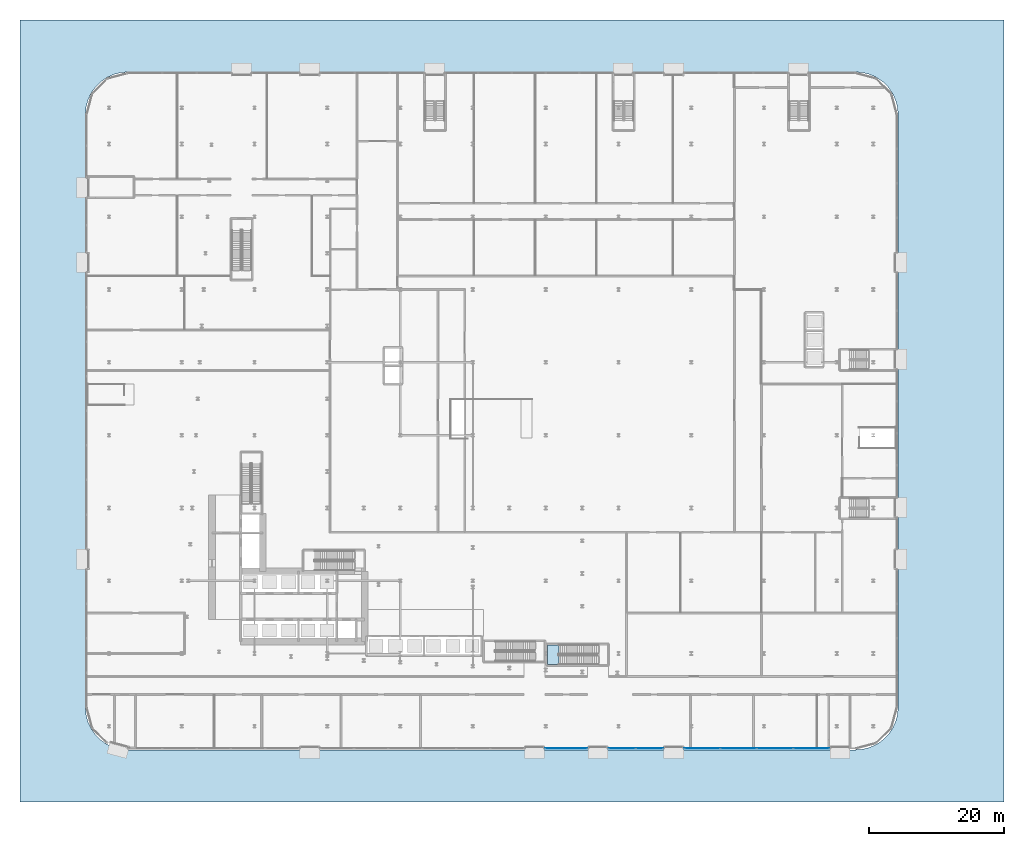
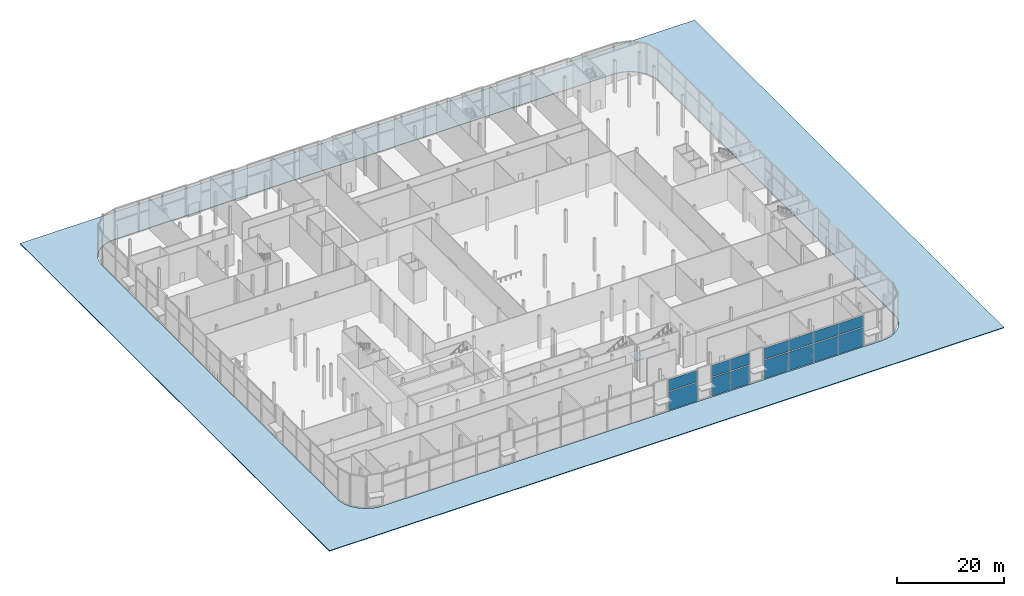
# One storey, part 19 of 46: 14 plates, 2 slabs, 4 elements without a shape of their own.
"""IFC4 building model written with IfcOpenShell, lengths in metres."""

from ifc_helpers import new_model, si_unit, direction, frame, origin, origin_2d, place, context, subcontext, project, spatial, polyline, rectangle, outline, extrude, material, layer, layer_set, type_object, element, aggregate, save


model = new_model("IFC4")

# Units and contexts
model_context = context("Model", 3, precision=1e-05, world=origin(), true_north=direction((0.0, 1.0)))
body_context = subcontext(model_context, "Body", "Model", "MODEL_VIEW")
ifc_project = project(units=[si_unit("LENGTHUNIT", "METRE"), si_unit("AREAUNIT", "SQUARE_METRE"), si_unit("VOLUMEUNIT", "CUBIC_METRE"), si_unit("PLANEANGLEUNIT", "RADIAN"), si_unit("MASSUNIT", "GRAM", prefix="KILO")], contexts=[model_context])

# Site, building, storey
site_placement = place(None, origin())
site = spatial("IfcSite", under=ifc_project, at=site_placement, CompositionType="ELEMENT")
building_placement = place(site_placement, origin())
building = spatial("IfcBuilding", under=site, at=building_placement, Name="Kheshtan School and Residences Tower", CompositionType="ELEMENT")
storey_placement = place(building_placement, origin())
storey = spatial("IfcBuildingStorey", under=building, at=storey_placement, Name="L00", CompositionType="ELEMENT", Elevation=0.0)

# Curtain wall, plates
ifc_material_1 = material(Name="Clear low-e glass in thermally broken aluminium frame", Category="aluminium")
ifc_layer_1 = layer(ifc_material_1, 0.300048828125)
ifc_layer_set_1 = layer_set([ifc_layer_1], Name="Curtain wall CW-A")
curtain_wall_type = type_object("IfcCurtainWallType", Name="Curtain wall CW-A", PredefinedType="NOTDEFINED", material=ifc_layer_set_1)
curtain_wall_1_placement = place(storey_placement, origin())
curtain_wall_1 = element("IfcCurtainWall", 1, at=curtain_wall_1_placement, inside=storey, type_object=curtain_wall_type, Name="Curtain wall CWA12a", PredefinedType="NOTDEFINED")
ifc_layer_2 = layer(ifc_material_1, 0.0439453125)
ifc_layer_set_2 = layer_set([ifc_layer_2], Name="CW-A glass panel")
plate_type = type_object("IfcPlateType", Name="CW-A glass panel", PredefinedType="CURTAIN_PANEL", material=ifc_layer_set_2)
plate_1_placement = place(storey_placement, frame((119.433837890625, 9.89990234375, 0.0), z_axis=(0.0, 0.0, 1.0), x_axis=(-1.0, 0.0, 0.0)))
plate_1 = element("IfcPlate", 2, at=plate_1_placement, type_object=plate_type, Name="CWA12a panel 1.1", PredefinedType="CURTAIN_PANEL", context=body_context, shape_type="SweptSolid", body=[
    extrude(rectangle(XDim=5.302490234375, YDim=0.0439453125, at=origin_2d()), origin(), (0.0, 0.0, 1.0), 4.25),
])
plate_2_placement = place(storey_placement, frame((119.433837890625, 9.89990234375, 4.449951171875), z_axis=(0.0, 0.0, 1.0), x_axis=(-1.0, 0.0, 0.0)))
plate_2 = element("IfcPlate", 3, at=plate_2_placement, type_object=plate_type, Name="CWA12a panel 1.2", PredefinedType="CURTAIN_PANEL", context=body_context, shape_type="SweptSolid", body=[
    extrude(rectangle(XDim=5.302490234375, YDim=0.0439453125, at=origin_2d()), origin(), (0.0, 0.0, 1.0), 2.60009765625),
])
plate_3_placement = place(storey_placement, frame((114.03759765625, 9.89990234375, 0.0), z_axis=(0.0, 0.0, 1.0), x_axis=(-1.0, 0.0, 0.0)))
plate_3 = element("IfcPlate", 4, at=plate_3_placement, type_object=plate_type, Name="CWA12a panel 2.1", PredefinedType="CURTAIN_PANEL", context=body_context, shape_type="SweptSolid", body=[
    extrude(rectangle(XDim=5.340087890625, YDim=0.0439453125, at=origin_2d()), origin(), (0.0, 0.0, 1.0), 4.25),
])
plate_4_placement = place(storey_placement, frame((114.03759765625, 9.89990234375, 4.449951171875), z_axis=(0.0, 0.0, 1.0), x_axis=(-1.0, 0.0, 0.0)))
plate_4 = element("IfcPlate", 5, at=plate_4_placement, type_object=plate_type, Name="CWA12a panel 2.2", PredefinedType="CURTAIN_PANEL", context=body_context, shape_type="SweptSolid", body=[
    extrude(rectangle(XDim=5.340087890625, YDim=0.0439453125, at=origin_2d()), origin(), (0.0, 0.0, 1.0), 2.60009765625),
])
plate_5_placement = place(storey_placement, frame((108.62255859375, 9.89990234375, 0.0), z_axis=(0.0, 0.0, 1.0), x_axis=(-1.0, 0.0, 0.0)))
plate_5 = element("IfcPlate", 6, at=plate_5_placement, type_object=plate_type, Name="CWA12a panel 3.1", PredefinedType="CURTAIN_PANEL", context=body_context, shape_type="SweptSolid", body=[
    extrude(rectangle(XDim=5.340087890625, YDim=0.0439453125, at=origin_2d()), origin(), (0.0, 0.0, 1.0), 4.25),
])
plate_6_placement = place(storey_placement, frame((108.62255859375, 9.89990234375, 4.449951171875), z_axis=(0.0, 0.0, 1.0), x_axis=(-1.0, 0.0, 0.0)))
plate_6 = element("IfcPlate", 7, at=plate_6_placement, type_object=plate_type, Name="CWA12a panel 3.2", PredefinedType="CURTAIN_PANEL", context=body_context, shape_type="SweptSolid", body=[
    extrude(rectangle(XDim=5.340087890625, YDim=0.0439453125, at=origin_2d()), origin(), (0.0, 0.0, 1.0), 2.60009765625),
])
plate_7_placement = place(storey_placement, frame((103.226318359375, 9.89990234375, 0.0), z_axis=(0.0, 0.0, 1.0), x_axis=(-1.0, 0.0, 0.0)))
plate_7 = element("IfcPlate", 8, at=plate_7_placement, type_object=plate_type, Name="CWA12a panel 4.1", PredefinedType="CURTAIN_PANEL", context=body_context, shape_type="SweptSolid", body=[
    extrude(rectangle(XDim=5.302490234375, YDim=0.0439453125, at=origin_2d()), origin(), (0.0, 0.0, 1.0), 4.25),
])
plate_8_placement = place(storey_placement, frame((103.226318359375, 9.89990234375, 4.449951171875), z_axis=(0.0, 0.0, 1.0), x_axis=(-1.0, 0.0, 0.0)))
plate_8 = element("IfcPlate", 9, at=plate_8_placement, type_object=plate_type, Name="CWA12a panel 4.2", PredefinedType="CURTAIN_PANEL", context=body_context, shape_type="SweptSolid", body=[
    extrude(rectangle(XDim=5.302490234375, YDim=0.0439453125, at=origin_2d()), origin(), (0.0, 0.0, 1.0), 2.60009765625),
])
aggregate(curtain_wall_1, [plate_1, plate_2, plate_3, plate_4, plate_5, plate_6, plate_7, plate_8])

curtain_wall_2_placement = place(storey_placement, origin())
curtain_wall_2 = element("IfcCurtainWall", 10, at=curtain_wall_2_placement, inside=storey, type_object=curtain_wall_type, Name="Curtain wall CWA12b", PredefinedType="NOTDEFINED")
plate_9_placement = place(storey_placement, frame((95.41748046875, 9.89990234375, 0.0), z_axis=(0.0, 0.0, 1.0), x_axis=(-1.0, 0.0, 0.0)))
plate_9 = element("IfcPlate", 11, at=plate_9_placement, type_object=plate_type, Name="CWA12b panel 1.1", PredefinedType="CURTAIN_PANEL", context=body_context, shape_type="SweptSolid", body=[
    extrude(rectangle(XDim=4.014892578125, YDim=0.0439453125, at=origin_2d()), origin(), (0.0, 0.0, 1.0), 4.25),
])
plate_10_placement = place(storey_placement, frame((95.41748046875, 9.89990234375, 4.449951171875), z_axis=(0.0, 0.0, 1.0), x_axis=(-1.0, 0.0, 0.0)))
plate_10 = element("IfcPlate", 12, at=plate_10_placement, type_object=plate_type, Name="CWA12b panel 1.2", PredefinedType="CURTAIN_PANEL", context=body_context, shape_type="SweptSolid", body=[
    extrude(rectangle(XDim=4.014892578125, YDim=0.0439453125, at=origin_2d()), origin(), (0.0, 0.0, 1.0), 2.60009765625),
])
plate_11_placement = place(storey_placement, frame((91.327392578125, 9.89990234375, 0.0), z_axis=(0.0, 0.0, 1.0), x_axis=(-1.0, 0.0, 0.0)))
plate_11 = element("IfcPlate", 13, at=plate_11_placement, type_object=plate_type, Name="CWA12b panel 2.1", PredefinedType="CURTAIN_PANEL", context=body_context, shape_type="SweptSolid", body=[
    extrude(rectangle(XDim=4.014892578125, YDim=0.0439453125, at=origin_2d()), origin(), (0.0, 0.0, 1.0), 4.25),
])
plate_12_placement = place(storey_placement, frame((91.327392578125, 9.89990234375, 4.449951171875), z_axis=(0.0, 0.0, 1.0), x_axis=(-1.0, 0.0, 0.0)))
plate_12 = element("IfcPlate", 14, at=plate_12_placement, type_object=plate_type, Name="CWA12b panel 2.2", PredefinedType="CURTAIN_PANEL", context=body_context, shape_type="SweptSolid", body=[
    extrude(rectangle(XDim=4.014892578125, YDim=0.0439453125, at=origin_2d()), origin(), (0.0, 0.0, 1.0), 2.60009765625),
])
aggregate(curtain_wall_2, [plate_9, plate_10, plate_11, plate_12])

curtain_wall_3_placement = place(storey_placement, origin())
curtain_wall_3 = element("IfcCurtainWall", 15, at=curtain_wall_3_placement, inside=storey, type_object=curtain_wall_type, Name="Curtain wall CWA12c", PredefinedType="NOTDEFINED")
plate_13_placement = place(storey_placement, frame((83.0400390625, 9.89990234375, 0.0), z_axis=(0.0, 0.0, 1.0), x_axis=(-1.0, 0.0, 0.0)))
plate_13 = element("IfcPlate", 16, at=plate_13_placement, type_object=plate_type, Name="CWA12c panel 1.1", PredefinedType="CURTAIN_PANEL", context=body_context, shape_type="SweptSolid", body=[
    extrude(rectangle(XDim=6.260009765625, YDim=0.0439453125, at=origin_2d()), origin(), (0.0, 0.0, 1.0), 4.25),
])
plate_14_placement = place(storey_placement, frame((83.0400390625, 9.89990234375, 4.449951171875), z_axis=(0.0, 0.0, 1.0), x_axis=(-1.0, 0.0, 0.0)))
plate_14 = element("IfcPlate", 17, at=plate_14_placement, type_object=plate_type, Name="CWA12c panel 1.2", PredefinedType="CURTAIN_PANEL", context=body_context, shape_type="SweptSolid", body=[
    extrude(rectangle(XDim=6.260009765625, YDim=0.0439453125, at=origin_2d()), origin(), (0.0, 0.0, 1.0), 2.60009765625),
])
aggregate(curtain_wall_3, [plate_13, plate_14])

# Slab
ifc_material_2 = material(Name="Granite paving on compacted base", Category="masonry")
ifc_layer_3 = layer(ifc_material_2, 0.14990234375)
ifc_layer_set_3 = layer_set([ifc_layer_3], Name="Plaza paving 150")
slab_type_1 = type_object("IfcSlabType", Name="Plaza paving 150", PredefinedType="USERDEFINED", material=ifc_layer_set_3)
slab_1_placement = place(storey_placement, frame((0.0, 0.0, -0.14990234375)))
element("IfcSlab", 18, at=slab_1_placement, inside=storey, type_object=slab_type_1, Name="Plaza paving 1", ObjectType="PAVING", PredefinedType="USERDEFINED", context=body_context, shape_type="SweptSolid", body=[
    extrude(outline(polyline([(148.0, 118.0), (148.0, 2.0), (2.0, 2.0), (2.0, 118.0), (148.0, 118.0)]), holes=[polyline([(11.720947265625, 15.97607421875), (11.81201171875, 14.93408203125), (11.81494140625, 14.908935546875), (11.821044921875, 14.885009765625), (12.092041015625, 13.875), (12.09912109375, 13.85205078125), (12.10791015625, 13.830078125), (12.550048828125, 12.882080078125), (12.56201171875, 12.860107421875), (12.574951171875, 12.839111328125), (13.175048828125, 11.98193359375), (13.18994140625, 11.962890625), (13.2060546875, 11.945068359375), (13.945068359375, 11.2060546875), (13.962890625, 11.18994140625), (13.98193359375, 11.175048828125), (14.839111328125, 10.574951171875), (14.860107421875, 10.56201171875), (14.882080078125, 10.550048828125), (15.830078125, 10.10791015625), (15.85205078125, 10.09912109375), (15.875, 10.092041015625), (16.885009765625, 9.821044921875), (16.908935546875, 9.81494140625), (16.93408203125, 9.81201171875), (17.97607421875, 9.720947265625), (18.0, 9.719970703125), (126.0, 9.719970703125), (126.02392578125, 9.720947265625), (127.06591796875, 9.81201171875), (127.091064453125, 9.81494140625), (127.114990234375, 9.821044921875), (128.125, 10.092041015625), (128.14794921875, 10.09912109375), (128.169921875, 10.10791015625), (129.117919921875, 10.550048828125), (129.139892578125, 10.56201171875), (129.160888671875, 10.574951171875), (130.01806640625, 11.175048828125), (130.037109375, 11.18994140625), (130.054931640625, 11.2060546875), (130.7939453125, 11.945068359375), (130.81005859375, 11.962890625), (130.824951171875, 11.98193359375), (131.425048828125, 12.839111328125), (131.43798828125, 12.860107421875), (131.449951171875, 12.882080078125), (131.89208984375, 13.830078125), (131.90087890625, 13.85205078125), (131.907958984375, 13.875), (132.178955078125, 14.885009765625), (132.18505859375, 14.908935546875), (132.18798828125, 14.93408203125), (132.279052734375, 15.97607421875), (132.280029296875, 16.0), (132.280029296875, 104.0), (132.279052734375, 104.02392578125), (132.18798828125, 105.06591796875), (132.18505859375, 105.091064453125), (132.178955078125, 105.114990234375), (131.907958984375, 106.125), (131.90087890625, 106.14794921875), (131.89208984375, 106.169921875), (131.449951171875, 107.117919921875), (131.43798828125, 107.139892578125), (131.425048828125, 107.160888671875), (130.824951171875, 108.01806640625), (130.81005859375, 108.037109375), (130.7939453125, 108.054931640625), (130.054931640625, 108.7939453125), (130.037109375, 108.81005859375), (130.01806640625, 108.824951171875), (129.160888671875, 109.425048828125), (129.139892578125, 109.43798828125), (129.117919921875, 109.449951171875), (128.169921875, 109.89208984375), (128.14794921875, 109.90087890625), (128.125, 109.907958984375), (127.114990234375, 110.178955078125), (127.091064453125, 110.18505859375), (127.06591796875, 110.18798828125), (126.02392578125, 110.279052734375), (126.0, 110.280029296875), (18.0, 110.280029296875), (17.97607421875, 110.279052734375), (16.93408203125, 110.18798828125), (16.908935546875, 110.18505859375), (16.885009765625, 110.178955078125), (15.875, 109.907958984375), (15.85205078125, 109.90087890625), (15.830078125, 109.89208984375), (14.882080078125, 109.449951171875), (14.860107421875, 109.43798828125), (14.839111328125, 109.425048828125), (13.98193359375, 108.824951171875), (13.962890625, 108.81005859375), (13.945068359375, 108.7939453125), (13.2060546875, 108.054931640625), (13.18994140625, 108.037109375), (13.175048828125, 108.01806640625), (12.574951171875, 107.160888671875), (12.56201171875, 107.139892578125), (12.550048828125, 107.117919921875), (12.10791015625, 106.169921875), (12.09912109375, 106.14794921875), (12.092041015625, 106.125), (11.821044921875, 105.114990234375), (11.81494140625, 105.091064453125), (11.81201171875, 105.06591796875), (11.720947265625, 104.02392578125), (11.719970703125, 104.0), (11.719970703125, 16.0), (11.720947265625, 15.97607421875)])]), origin(), (0.0, 0.0, 1.0), 0.14990234375),
])

# Stair, slab
ifc_material_3 = material(Name="Concrete C40/50", Category="concrete")
stair_type = type_object("IfcStairType", Name="Exit stair, half-turn", PredefinedType="HALF_TURN_STAIR", material=ifc_material_3)
stair_placement = place(storey_placement, origin())
stair = element("IfcStair", 19, at=stair_placement, inside=storey, type_object=stair_type, Name="L00 Protected Exit Stair ST4", PredefinedType="HALF_TURN_STAIR")
ifc_layer_4 = layer(ifc_material_3, 0.199951171875)
ifc_layer_set_4 = layer_set([ifc_layer_4], Name="Stair landing 200 Concrete C40/50")
slab_type_2 = type_object("IfcSlabType", Name="Stair landing 200 Concrete C40/50", PredefinedType="LANDING", material=ifc_layer_set_4)
slab_2_placement = place(storey_placement, frame((0.0, 0.0, 3.550048828125)))
slab_2 = element("IfcSlab", 20, at=slab_2_placement, type_object=slab_type_2, Name="ST4 landing 1", PredefinedType="LANDING", context=body_context, shape_type="SweptSolid", body=[
    extrude(outline(polyline([(81.93994140625, 25.300048828125), (80.260009765625, 25.300048828125), (80.260009765625, 22.35009765625), (81.93994140625, 22.35009765625), (81.93994140625, 25.300048828125)])), origin(), (0.0, 0.0, 1.0), 0.199951171875),
])
aggregate(stair, [slab_2])

save(model, "model.ifc")
